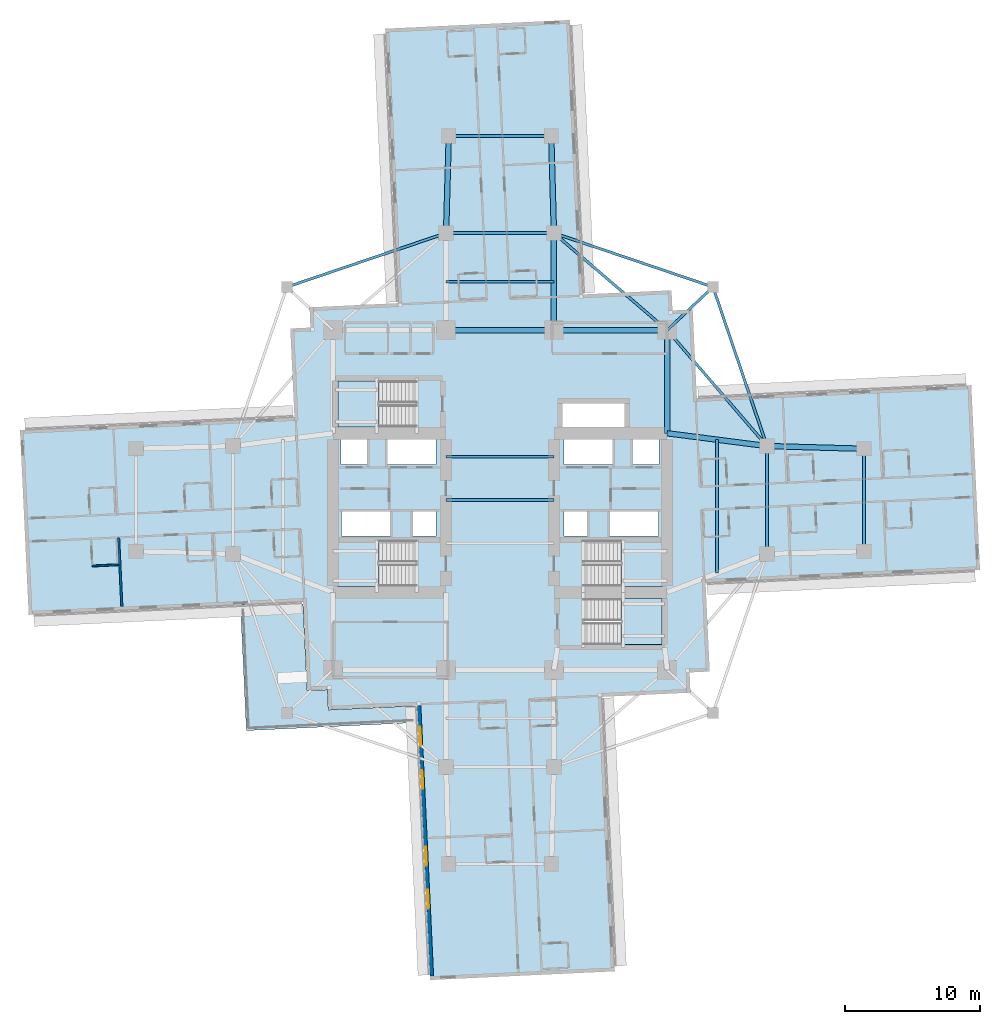
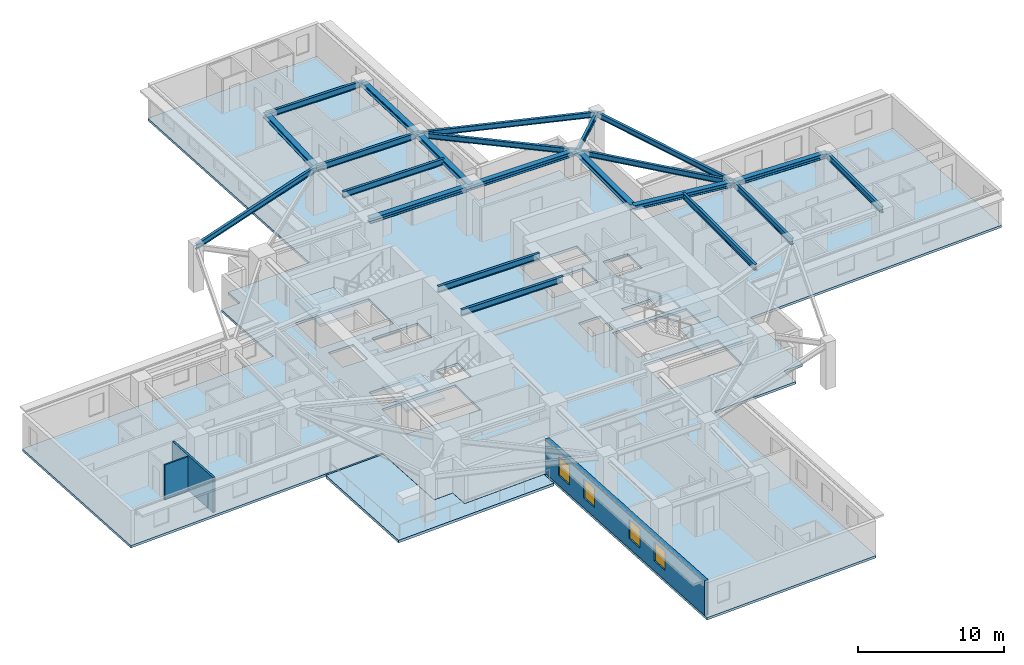
# One storey, part 2 of 14: 22 beams, 6 slabs, 4 windows, 3 walls, 4 openings, 4 elements without a shape of their own.
"""IFC4 building model written with IfcOpenShell, lengths in metres."""

import ifcopenshell
import ifcopenshell.guid

model = None  # the IFC model being written
_history = None  # IfcOwnerHistory: only IFC2X3 demands one
_inside = {}  # id of a spatial element -> (the spatial element, [elements in it])
_under = {}  # id of a project, library or spatial element -> (it, [spatial elements below it])
_declared = {}  # id of a project -> (the project, [libraries it declares])
_typed = {}  # id of a type object -> (the type object, [elements of that type])
_made_of = {}  # id of a material, layer set ... -> (it, [elements and type objects made of it])


def new_model(schema):
    """Start an empty IFC model of exactly this schema.

    Asked for "IFC4X3", IfcOpenShell would pick the latest addendum, in which some entities
    have other attributes; the version numbers below select the first issue.
    IFC2X3 requires an IfcOwnerHistory on every rooted entity: one is made here for all.
    """
    global model, _history
    if schema == "IFC4X3":
        model = ifcopenshell.file(schema_version=(4, 3, 0, 0))
    else:
        model = ifcopenshell.file(schema=schema)
    _inside.clear()
    _under.clear()
    _declared.clear()
    _typed.clear()
    _made_of.clear()
    _history = None
    if model.schema == "IFC2X3":
        org = make("IfcOrganization", Name="unknown")
        user = make(
            "IfcPersonAndOrganization",
            ThePerson=make("IfcPerson", FamilyName="unknown"),
            TheOrganization=org,
        )
        app = make(
            "IfcApplication",
            ApplicationDeveloper=org,
            Version="unknown",
            ApplicationFullName="unknown",
            ApplicationIdentifier="unknown",
        )
        _history = make(
            "IfcOwnerHistory",
            OwningUser=user,
            OwningApplication=app,
            ChangeAction="ADDED",
            CreationDate=0,
        )
    return model


def make(cls, **values):
    """One entity of the class cls with the attributes given. An attribute that is None is left unset."""
    return model.create_entity(
        cls, **{name: value for name, value in values.items() if value is not None}
    )


def rooted(cls, **values):
    """An entity with a GlobalId (a new one), such as an element, a storey or a relation."""
    return make(cls, GlobalId=ifcopenshell.guid.new(), OwnerHistory=_history, **values)


def si_unit(unit_type, name, prefix=None):
    """IfcSIUnit, for example si_unit("LENGTHUNIT", "METRE", prefix="MILLI")."""
    return make("IfcSIUnit", UnitType=unit_type, Prefix=prefix, Name=name)


def assignment(units):
    """IfcUnitAssignment: the units of a project."""
    return None if units is None else make("IfcUnitAssignment", Units=units)


def point(xyz):
    """IfcCartesianPoint."""
    return None if xyz is None else make("IfcCartesianPoint", Coordinates=xyz)


def direction(xyz):
    """IfcDirection."""
    return None if xyz is None else make("IfcDirection", DirectionRatios=xyz)


def frame(location, z_axis=None, x_axis=None):
    """IfcAxis2Placement3D, a coordinate frame: its origin and axes. An axis left out is left unset."""
    return make(
        "IfcAxis2Placement3D",
        Location=point(location),
        Axis=direction(z_axis),
        RefDirection=direction(x_axis),
    )


def frame_2d(location, x_axis=None):
    """IfcAxis2Placement2D, a coordinate frame in the plane: its origin and x axis."""
    return make(
        "IfcAxis2Placement2D", Location=point(location), RefDirection=direction(x_axis)
    )


def origin():
    """The frame at (0, 0, 0) with its axes left unset."""
    return frame((0.0, 0.0, 0.0))


def origin_2d():
    """The frame at (0, 0) in the plane with its x axis left unset."""
    return frame_2d((0.0, 0.0))


def place(relative_to, where):
    """IfcLocalPlacement: puts the frame where relative to a parent placement (None: the world)."""
    return make(
        "IfcLocalPlacement", PlacementRelTo=relative_to, RelativePlacement=where
    )


def context(
    kind, dimensions, precision=None, world=None, true_north=None, identifier=None
):
    """IfcGeometricRepresentationContext, for example the 3D "Model" context."""
    return make(
        "IfcGeometricRepresentationContext",
        ContextIdentifier=identifier,
        ContextType=kind,
        CoordinateSpaceDimension=dimensions,
        Precision=precision,
        WorldCoordinateSystem=world,
        TrueNorth=true_north,
    )


def subcontext(parent, identifier, kind, view, scale=None):
    """IfcGeometricRepresentationSubContext, for example "Body" below "Model"."""
    return make(
        "IfcGeometricRepresentationSubContext",
        ContextIdentifier=identifier,
        ContextType=kind,
        ParentContext=parent,
        TargetScale=scale,
        TargetView=view,
    )


def project(units=None, contexts=None):
    """IfcProject with its units and contexts."""
    return rooted(
        "IfcProject",
        Name="project",
        RepresentationContexts=contexts,
        UnitsInContext=assignment(units),
    )


def spatial(cls, under=None, at=None, **own):
    """A site, building, storey or space (cls), placed at a placement, below another one or the project."""
    s = rooted(cls, ObjectPlacement=at, **own)
    if under is not None:
        _under.setdefault(under.id(), (under, []))[1].append(s)
    return s


def polyline(points):
    """IfcPolyline through the points."""
    return make("IfcPolyline", Points=[point(p) for p in points])


def profile(cls, at=None, kind="AREA", **sizes):
    """A parametric profile (cls). Its sizes go by their IFC names, for example OverallWidth=200.0."""
    return make(cls, ProfileType=kind, Position=at, **sizes)


def rectangle(**sizes):
    """IfcRectangleProfileDef."""
    return profile("IfcRectangleProfileDef", **sizes)


def i_section(**sizes):
    """IfcIShapeProfileDef."""
    return profile("IfcIShapeProfileDef", **sizes)


def outline(outer, holes=None, kind="AREA"):
    """IfcArbitraryClosedProfileDef: a profile drawn as a closed curve; with holes, ...WithVoids."""
    if holes is None:
        return make("IfcArbitraryClosedProfileDef", ProfileType=kind, OuterCurve=outer)
    return make(
        "IfcArbitraryProfileDefWithVoids",
        ProfileType=kind,
        OuterCurve=outer,
        InnerCurves=holes,
    )


def extrude(swept, where, along, depth):
    """IfcExtrudedAreaSolid: the profile swept, set in the frame where, extruded along a direction by depth."""
    return make(
        "IfcExtrudedAreaSolid",
        SweptArea=swept,
        Position=where,
        ExtrudedDirection=direction(along),
        Depth=depth,
    )


def shape(context_of_items, identifier, shape_type, items):
    """IfcShapeRepresentation: the items that make up one representation, for example the "Body"."""
    return make(
        "IfcShapeRepresentation",
        ContextOfItems=context_of_items,
        RepresentationIdentifier=identifier,
        RepresentationType=shape_type,
        Items=items,
    )


def material(Name=None, Category=None):
    """IfcMaterial."""
    return make("IfcMaterial", Name=Name, Category=Category)


def layer(
    of_material, thickness, ventilated=None, Name=None, Category=None, Priority=None
):
    """IfcMaterialLayer: one layer of a wall or slab, of a material (None: an air gap)."""
    return make(
        "IfcMaterialLayer",
        Material=of_material,
        LayerThickness=thickness,
        IsVentilated=ventilated,
        Name=Name,
        Category=Category,
        Priority=Priority,
    )


def layer_set(layers, Name=None):
    """IfcMaterialLayerSet."""
    return make("IfcMaterialLayerSet", MaterialLayers=layers, LayerSetName=Name)


def material_profile(
    of_material, cross_section, Name=None, Category=None, Priority=None
):
    """IfcMaterialProfile: a cross section and its material."""
    return make(
        "IfcMaterialProfile",
        Name=Name,
        Material=of_material,
        Profile=cross_section,
        Priority=Priority,
        Category=Category,
    )


def profile_set(profiles, Name=None, composite=None):
    """IfcMaterialProfileSet."""
    return make(
        "IfcMaterialProfileSet",
        Name=Name,
        MaterialProfiles=profiles,
        CompositeProfile=composite,
    )


def made_of(thing, what):
    """Note that an element or type object is made of a material, layer set ...; save() writes the relation."""
    if what is not None:
        _made_of.setdefault(what.id(), (what, []))[1].append(thing)
    return thing


def type_object(cls, material=None, **own):
    """A type object (cls), such as IfcWallType, which elements share."""
    return made_of(rooted(cls, **own), material)


def element(
    cls,
    number,
    at=None,
    inside=None,
    cuts=None,
    type_object=None,
    material=None,
    context=None,
    identifier="Body",
    shape_type=None,
    held_by="IfcProductDefinitionShape",
    body=None,
    shapes=None,
    **own,
):
    """One element of the class cls, such as IfcWall. Its Tag is "e" and its number.

    at: its placement. inside: the storey or other place that contains it. cuts: it is an
    opening in that element (IfcRelVoidsElement). A single representation is given by context,
    identifier, shape_type and body (its items); several are given by shapes. held_by: the class
    of the entity that holds the representations. save() writes the other relations.
    """
    e = rooted(cls, Tag="e%d" % number, ObjectPlacement=at, **own)
    if body is not None:
        shapes = [shape(context, identifier, shape_type, body)]
    if shapes is not None:
        e.Representation = make(held_by, Representations=shapes)
    if inside is not None:
        _inside.setdefault(inside.id(), (inside, []))[1].append(e)
    if cuts is not None:
        rooted(
            "IfcRelVoidsElement", RelatingBuildingElement=cuts, RelatedOpeningElement=e
        )
    if type_object is not None:
        _typed.setdefault(type_object.id(), (type_object, []))[1].append(e)
    return made_of(e, material)


def fill(opening, filler):
    """IfcRelFillsElement: the door or window that sits in an opening."""
    return rooted(
        "IfcRelFillsElement",
        RelatingOpeningElement=opening,
        RelatedBuildingElement=filler,
    )


def aggregate(whole, parts):
    """IfcRelAggregates: a whole, such as a stair, and the parts it consists of."""
    return rooted("IfcRelAggregates", RelatingObject=whole, RelatedObjects=parts)


def save(model, path):
    """Write the relations noted so far, then the file.

    IfcRelAggregates (storeys below a building ...), IfcRelContainedInSpatialStructure (elements
    in a storey), IfcRelDefinesByType, IfcRelAssociatesMaterial and IfcRelDeclares: one each for
    every whole, place, type object, material and project.
    """
    for whole, parts in _under.values():
        aggregate(whole, parts)
    for where, things in _inside.values():
        rooted(
            "IfcRelContainedInSpatialStructure",
            RelatedElements=things,
            RelatingStructure=where,
        )
    for kind, things in _typed.values():
        rooted("IfcRelDefinesByType", RelatedObjects=things, RelatingType=kind)
    for what, things in _made_of.values():
        rooted("IfcRelAssociatesMaterial", RelatedObjects=things, RelatingMaterial=what)
    for by, libraries in _declared.values():
        rooted("IfcRelDeclares", RelatingContext=by, RelatedDefinitions=libraries)
    model.write(path)


model = new_model("IFC4")

# Units and contexts
model_context = context("Model", 3, precision=1e-05, world=origin(), true_north=direction((0.0, 1.0)))
body_context = subcontext(model_context, "Body", "Model", "MODEL_VIEW")
ifc_project = project(units=[si_unit("LENGTHUNIT", "METRE"), si_unit("AREAUNIT", "SQUARE_METRE"), si_unit("VOLUMEUNIT", "CUBIC_METRE"), si_unit("PLANEANGLEUNIT", "RADIAN"), si_unit("MASSUNIT", "GRAM", prefix="KILO")], contexts=[model_context])

# Site, building, storey
site_placement = place(None, origin())
site = spatial("IfcSite", under=ifc_project, at=site_placement, CompositionType="ELEMENT")
building_placement = place(site_placement, origin())
building = spatial("IfcBuilding", under=site, at=building_placement, Name="Qingluan Cross Belvedere", CompositionType="ELEMENT")
storey_placement = place(building_placement, frame((0.0, 0.0, 52.199951171875)))
storey = spatial("IfcBuildingStorey", under=building, at=storey_placement, Name="L13", CompositionType="ELEMENT", Elevation=52.199951171875)

# Beams
ifc_material_1 = material(Name="Steel Q420GJB", Category="steel")
ifc_material_profile_1 = material_profile(ifc_material_1, i_section(OverallWidth=0.199951171875, OverallDepth=0.449951171875, WebThickness=0.009033203125, FlangeThickness=0.013916015625, FilletRadius=0.01611328125, at=origin_2d()), Name="HN450x200x9x14")
ifc_profile_set_1 = profile_set([ifc_material_profile_1], Name="Steel Q420GJB")
beam_type_1 = type_object("IfcBeamType", Name="Steel_Beam_HN450x200x9x14", PredefinedType="JOIST", material=ifc_profile_set_1)
beam_1_placement = place(storey_placement, frame((12.39990234375, 12.60009765625, 3.47509765625), z_axis=(0.728219948308, 0.685343495546, 0.0), x_axis=(-0.685343495546, 0.728219948308, 0.0)))
element("IfcBeam", 1, at=beam_1_placement, inside=storey, type_object=beam_type_1, Name="Corner beam 1 L13-RNE", PredefinedType="JOIST", context=body_context, shape_type="SweptSolid", body=[
    extrude(i_section(OverallWidth=0.199951171875, OverallDepth=0.449951171875, WebThickness=0.009033203125, FlangeThickness=0.013916015625, FilletRadius=0.01611328125, at=origin_2d()), origin(), (0.0, 0.0, 1.0), 4.669189453125),
])
for number, where, z_axis, x_axis, name in (
    (2, (15.800048828125, 15.800048828125, 3.47509765625), (-0.947066283324, 0.321038089628, 0.0), (-0.321038089628, -0.947066283324, 0.0), "Corner beam 2 L13-RNE"),
    (3, (15.800048828125, 15.800048828125, 3.47509765625), (0.321038089628, -0.947066283324, 0.0), (0.947066283324, 0.321038089628, 0.0), "Corner beam 3 L13-RNE"),
):
    element("IfcBeam", number, at=place(storey_placement, frame(where, z_axis=z_axis, x_axis=x_axis)), inside=storey, type_object=beam_type_1, Name=name, PredefinedType="JOIST", context=body_context, shape_type="SweptSolid", body=[
        extrude(i_section(OverallWidth=0.199951171875, OverallDepth=0.449951171875, WebThickness=0.009033203125, FlangeThickness=0.013916015625, FilletRadius=0.01611328125, at=origin_2d()), origin(), (0.0, 0.0, 1.0), 12.45947265625),
    ])
beam_2_placement = place(storey_placement, frame((12.39990234375, 12.60009765625, 3.47509765625), z_axis=(0.652245077546, -0.75800815221, 0.0), x_axis=(0.75800815221, 0.652245077546, 0.0)))
element("IfcBeam", 4, at=beam_2_placement, inside=storey, type_object=beam_type_1, Name="Corner beam 4 L13-RNE", PredefinedType="JOIST", context=body_context, shape_type="SweptSolid", body=[
    extrude(i_section(OverallWidth=0.199951171875, OverallDepth=0.449951171875, WebThickness=0.009033203125, FlangeThickness=0.013916015625, FilletRadius=0.01611328125, at=origin_2d()), origin(), (0.0, 0.0, 1.0), 11.345703125),
])
beam_3_placement = place(storey_placement, frame((12.39990234375, 12.60009765625, 3.47509765625), z_axis=(-0.759255044656, 0.650793190779, 0.0), x_axis=(-0.650793190779, -0.759255044656, 0.0)))
element("IfcBeam", 5, at=beam_3_placement, inside=storey, type_object=beam_type_1, Name="Corner beam 5 L13-RNE", PredefinedType="JOIST", context=body_context, shape_type="SweptSolid", body=[
    extrude(i_section(OverallWidth=0.199951171875, OverallDepth=0.449951171875, WebThickness=0.009033203125, FlangeThickness=0.013916015625, FilletRadius=0.01611328125, at=origin_2d()), origin(), (0.0, 0.0, 1.0), 11.063232421875),
])
beam_4_placement = place(storey_placement, frame((-15.800048828125, 15.800048828125, 3.47509765625), z_axis=(0.947066283324, 0.321038089628, 0.0), x_axis=(-0.321038089628, 0.947066283324, 0.0)))
element("IfcBeam", 6, at=beam_4_placement, inside=storey, type_object=beam_type_1, Name="Corner beam 2 L13-RNW", PredefinedType="JOIST", context=body_context, shape_type="SweptSolid", body=[
    extrude(i_section(OverallWidth=0.199951171875, OverallDepth=0.449951171875, WebThickness=0.009033203125, FlangeThickness=0.013916015625, FilletRadius=0.01611328125, at=origin_2d()), origin(), (0.0, 0.0, 1.0), 12.45947265625),
])
ifc_material_2 = material(Name="Steel Q420GJB", Category="steel")
ifc_material_profile_2 = material_profile(ifc_material_2, i_section(OverallWidth=0.199951171875, OverallDepth=0.5, WebThickness=0.010009765625, FlangeThickness=0.01611328125, FilletRadius=0.01611328125, at=origin_2d()), Name="HN500x200x10x16")
ifc_profile_set_2 = profile_set([ifc_material_profile_2], Name="Steel Q420GJB")
beam_type_2 = type_object("IfcBeamType", Name="Steel_Beam_HN500x200x10x16", PredefinedType="JOIST", material=ifc_profile_set_2)
for number, where, z_axis, x_axis, name in (
    (7, (-4.0, 0.0, 3.449951171875), (1.0, 0.0, 0.0), (0.0, 1.0, 0.0), "Hall beam L13-CH2"),
    (8, (-4.0, 3.199951171875, 3.449951171875), (1.0, 0.0, 0.0), (0.0, 1.0, 0.0), "Hall beam L13-CH3"),
    (9, (19.800048828125, -4.0, 3.449951171875), (0.0, 1.0, 0.0), (-1.0, 0.0, 0.0), "Arm E tie L13"),
):
    element("IfcBeam", number, at=place(storey_placement, frame(where, z_axis=z_axis, x_axis=x_axis)), inside=storey, type_object=beam_type_2, Name=name, PredefinedType="JOIST", context=body_context, shape_type="SweptSolid", body=[
        extrude(i_section(OverallWidth=0.199951171875, OverallDepth=0.5, WebThickness=0.010009765625, FlangeThickness=0.01611328125, FilletRadius=0.01611328125, at=origin_2d()), origin(), (0.0, 0.0, 1.0), 8.0),
    ])
beam_5_placement = place(storey_placement, frame((16.10009765625, -5.425048828125, 3.449951171875), z_axis=(0.0, 1.0, 0.0), x_axis=(-1.0, 0.0, 0.0)))
element("IfcBeam", 10, at=beam_5_placement, inside=storey, type_object=beam_type_2, Name="Arm E beam L13", PredefinedType="JOIST", context=body_context, shape_type="SweptSolid", body=[
    extrude(i_section(OverallWidth=0.199951171875, OverallDepth=0.5, WebThickness=0.010009765625, FlangeThickness=0.01611328125, FilletRadius=0.01611328125, at=origin_2d()), origin(), (0.0, 0.0, 1.0), 9.900146484375),
])
beam_6_placement = place(storey_placement, frame((27.0, -3.800048828125, 3.449951171875), z_axis=(0.0, 1.0, 0.0), x_axis=(-1.0, 0.0, 0.0)))
element("IfcBeam", 11, at=beam_6_placement, inside=storey, type_object=beam_type_2, Name="Arm E tip transverse beam L13", PredefinedType="JOIST", context=body_context, shape_type="SweptSolid", body=[
    extrude(i_section(OverallWidth=0.199951171875, OverallDepth=0.5, WebThickness=0.010009765625, FlangeThickness=0.01611328125, FilletRadius=0.01611328125, at=origin_2d()), origin(), (0.0, 0.0, 1.0), 7.60009765625),
])
for number, where, z_axis, x_axis, name in (
    (12, (-4.0, 19.800048828125, 3.449951171875), (1.0, 0.0, 0.0), (0.0, 1.0, 0.0), "Arm N tie L13"),
    (13, (-4.0, 16.199951171875, 3.449951171875), (1.0, 0.0, 0.0), (0.0, 1.0, 0.0), "Arm N beam L13"),
):
    element("IfcBeam", number, at=place(storey_placement, frame(where, z_axis=z_axis, x_axis=x_axis)), inside=storey, type_object=beam_type_2, Name=name, PredefinedType="JOIST", context=body_context, shape_type="SweptSolid", body=[
        extrude(i_section(OverallWidth=0.199951171875, OverallDepth=0.5, WebThickness=0.010009765625, FlangeThickness=0.01611328125, FilletRadius=0.01611328125, at=origin_2d()), origin(), (0.0, 0.0, 1.0), 8.0),
    ])
beam_7_placement = place(storey_placement, frame((-3.800048828125, 27.0, 3.449951171875), z_axis=(1.0, 0.0, 0.0), x_axis=(0.0, 1.0, 0.0)))
element("IfcBeam", 14, at=beam_7_placement, inside=storey, type_object=beam_type_2, Name="Arm N tip transverse beam L13", PredefinedType="JOIST", context=body_context, shape_type="SweptSolid", body=[
    extrude(i_section(OverallWidth=0.199951171875, OverallDepth=0.5, WebThickness=0.010009765625, FlangeThickness=0.01611328125, FilletRadius=0.01611328125, at=origin_2d()), origin(), (0.0, 0.0, 1.0), 7.60009765625),
])
ifc_material_3 = material(Name="Steel Q420GJB", Category="steel")
ifc_material_profile_3 = material_profile(ifc_material_3, i_section(OverallWidth=0.39990234375, OverallDepth=0.39990234375, WebThickness=0.012939453125, FlangeThickness=0.02099609375, FilletRadius=0.02197265625, at=origin_2d()), Name="HW400x400x13x21")
ifc_profile_set_3 = profile_set([ifc_material_profile_3], Name="Steel Q420GJB")
beam_type_3 = type_object("IfcBeamType", Name="Steel_Girder_HW400x400x13x21", PredefinedType="USERDEFINED", material=ifc_profile_set_3)
beam_8_placement = place(storey_placement, frame((-4.0, 12.60009765625, 3.5), z_axis=(1.0, 0.0, 0.0), x_axis=(0.0, 1.0, 0.0)))
element("IfcBeam", 15, at=beam_8_placement, inside=storey, type_object=beam_type_3, Name="Hub girder L13-HG-N2", ObjectType="GIRDER", PredefinedType="USERDEFINED", context=body_context, shape_type="SweptSolid", body=[
    extrude(i_section(OverallWidth=0.39990234375, OverallDepth=0.39990234375, WebThickness=0.012939453125, FlangeThickness=0.02099609375, FilletRadius=0.02197265625, at=origin_2d()), origin(), (0.0, 0.0, 1.0), 8.0),
])
beam_9_placement = place(storey_placement, frame((4.0, 12.60009765625, 3.5), z_axis=(1.0, 0.0, 0.0), x_axis=(0.0, 1.0, 0.0)))
element("IfcBeam", 16, at=beam_9_placement, inside=storey, type_object=beam_type_3, Name="Hub girder L13-HG-N3", ObjectType="GIRDER", PredefinedType="USERDEFINED", context=body_context, shape_type="SweptSolid", body=[
    extrude(i_section(OverallWidth=0.39990234375, OverallDepth=0.39990234375, WebThickness=0.012939453125, FlangeThickness=0.02099609375, FilletRadius=0.02197265625, at=origin_2d()), origin(), (0.0, 0.0, 1.0), 8.39990234375),
])
beam_10_placement = place(storey_placement, frame((12.39990234375, 4.949951171875, 3.5), z_axis=(0.0, 1.0, 0.0), x_axis=(-1.0, 0.0, 0.0)))
element("IfcBeam", 17, at=beam_10_placement, inside=storey, type_object=beam_type_3, Name="Hub girder L13-HG-E2", ObjectType="GIRDER", PredefinedType="USERDEFINED", context=body_context, shape_type="SweptSolid", body=[
    extrude(i_section(OverallWidth=0.39990234375, OverallDepth=0.39990234375, WebThickness=0.012939453125, FlangeThickness=0.02099609375, FilletRadius=0.02197265625, at=origin_2d()), origin(), (0.0, 0.0, 1.0), 7.650146484375),
])
beam_11_placement = place(storey_placement, frame((12.39990234375, 4.949951171875, 3.5), z_axis=(0.991861120628, -0.12732445714, 0.0), x_axis=(0.12732445714, 0.991861120628, 0.0)))
element("IfcBeam", 18, at=beam_11_placement, inside=storey, type_object=beam_type_3, Name="Arm E radial girder B L13", ObjectType="GIRDER", PredefinedType="USERDEFINED", context=body_context, shape_type="SweptSolid", body=[
    extrude(i_section(OverallWidth=0.39990234375, OverallDepth=0.39990234375, WebThickness=0.012939453125, FlangeThickness=0.02099609375, FilletRadius=0.02197265625, at=origin_2d()), origin(), (0.0, 0.0, 1.0), 7.4609375),
])
beam_12_placement = place(storey_placement, frame((19.800048828125, 4.0, 3.5), z_axis=(0.999614603568, -0.027760481514, 0.0), x_axis=(0.027760481514, 0.999614603568, 0.0)))
element("IfcBeam", 19, at=beam_12_placement, inside=storey, type_object=beam_type_3, Name="Arm E outer radial girder B L13", ObjectType="GIRDER", PredefinedType="USERDEFINED", context=body_context, shape_type="SweptSolid", body=[
    extrude(i_section(OverallWidth=0.39990234375, OverallDepth=0.39990234375, WebThickness=0.012939453125, FlangeThickness=0.02099609375, FilletRadius=0.02197265625, at=origin_2d()), origin(), (0.0, 0.0, 1.0), 7.20263671875),
])
beam_13_placement = place(storey_placement, frame((4.0, 12.60009765625, 3.5), z_axis=(0.0, 1.0, 0.0), x_axis=(-1.0, 0.0, 0.0)))
element("IfcBeam", 20, at=beam_13_placement, inside=storey, type_object=beam_type_3, Name="Arm N radial girder B L13", ObjectType="GIRDER", PredefinedType="USERDEFINED", context=body_context, shape_type="SweptSolid", body=[
    extrude(i_section(OverallWidth=0.39990234375, OverallDepth=0.39990234375, WebThickness=0.012939453125, FlangeThickness=0.02099609375, FilletRadius=0.02197265625, at=origin_2d()), origin(), (0.0, 0.0, 1.0), 7.199951171875),
])
for number, where, z_axis, x_axis, name in (
    (21, (-4.0, 19.800048828125, 3.5), (0.027760481514, 0.999614603568, 0.0), (-0.999614603568, 0.027760481514, 0.0), "Arm N outer radial girder A L13"),
    (22, (4.0, 19.800048828125, 3.5), (-0.027760481514, 0.999614603568, 0.0), (-0.999614603568, -0.027760481514, 0.0), "Arm N outer radial girder B L13"),
):
    element("IfcBeam", number, at=place(storey_placement, frame(where, z_axis=z_axis, x_axis=x_axis)), inside=storey, type_object=beam_type_3, Name=name, ObjectType="GIRDER", PredefinedType="USERDEFINED", context=body_context, shape_type="SweptSolid", body=[
        extrude(i_section(OverallWidth=0.39990234375, OverallDepth=0.39990234375, WebThickness=0.012939453125, FlangeThickness=0.02099609375, FilletRadius=0.02197265625, at=origin_2d()), origin(), (0.0, 0.0, 1.0), 7.20263671875),
    ])

# Slab
ifc_material_4 = material(Name="Concrete C40", Category="concrete")
ifc_layer_1 = layer(ifc_material_4, 0.199951171875, Name="FloorSlab_200")
ifc_layer_set_1 = layer_set([ifc_layer_1], Name="Concrete C40")
slab_type_1 = type_object("IfcSlabType", Name="FloorSlab_200", PredefinedType="FLOOR", material=ifc_layer_set_1)
slab_1_placement = place(storey_placement, frame((0.0, 0.0, -0.199951171875)))
element("IfcSlab", 23, at=slab_1_placement, inside=storey, type_object=slab_type_1, Name="Structural floor slab L13", PredefinedType="FLOOR", context=body_context, shape_type="SweptSolid", body=[
    extrude(outline(polyline([(8.51611328125, -34.95751953125), (7.55615234375, -14.600341796875), (14.12890625, -14.290283203125), (14.05810546875, -12.7919921875), (15.556396484375, -12.72119140625), (15.24658203125, -6.148681640625), (35.60400390625, -5.188720703125), (34.95751953125, 8.51611328125), (14.600341796875, 7.55615234375), (14.290283203125, 14.12890625), (12.7919921875, 14.05810546875), (12.72119140625, 15.556396484375), (6.148681640625, 15.24658203125), (5.188720703125, 35.60400390625), (-8.51611328125, 34.95751953125), (-7.55615234375, 14.600341796875), (-14.12890625, 14.290283203125), (-14.05810546875, 12.7919921875), (-15.556396484375, 12.72119140625), (-15.24658203125, 6.148681640625), (-35.60400390625, 5.188720703125), (-34.95751953125, -8.51611328125), (-14.600341796875, -7.55615234375), (-14.290283203125, -14.12890625), (-12.7919921875, -14.05810546875), (-12.72119140625, -15.556396484375), (-6.148681640625, -15.24658203125), (-5.188720703125, -35.60400390625), (8.51611328125, -34.95751953125)]), holes=[polyline([(-12.0, -3.0), (-6.179931640625, -3.0), (-6.179931640625, -6.39990234375), (-12.0, -6.39990234375), (-12.0, -3.0)]), polyline([(6.179931640625, -3.0), (12.0, -3.0), (12.0, -6.39990234375), (6.179931640625, -6.39990234375), (6.179931640625, -3.0)]), polyline([(-12.0, 8.820068359375), (-6.179931640625, 8.820068359375), (-6.179931640625, 5.419921875), (-12.0, 5.419921875), (-12.0, 8.820068359375)]), polyline([(6.179931640625, -7.320068359375), (12.0, -7.320068359375), (12.0, -10.719970703125), (6.179931640625, -10.719970703125), (6.179931640625, -7.320068359375)]), polyline([(-11.800048828125, 4.64990234375), (-9.85009765625, 4.64990234375), (-9.85009765625, 2.64990234375), (-11.800048828125, 2.64990234375), (-11.800048828125, 4.64990234375)]), polyline([(-8.35009765625, 4.64990234375), (-4.75, 4.64990234375), (-4.75, 2.64990234375), (-8.35009765625, 2.64990234375), (-8.35009765625, 4.64990234375)]), polyline([(4.75, 4.64990234375), (8.35009765625, 4.64990234375), (8.35009765625, 2.64990234375), (4.75, 2.64990234375), (4.75, 4.64990234375)]), polyline([(9.85009765625, 4.64990234375), (11.800048828125, 4.64990234375), (11.800048828125, 2.64990234375), (9.85009765625, 2.64990234375), (9.85009765625, 4.64990234375)]), polyline([(-11.75, -0.840087890625), (-8.14990234375, -0.840087890625), (-8.14990234375, -2.659912109375), (-11.75, -2.659912109375), (-11.75, -0.840087890625)]), polyline([(-6.449951171875, -0.840087890625), (-4.75, -0.840087890625), (-4.75, -2.659912109375), (-6.449951171875, -2.659912109375), (-6.449951171875, -0.840087890625)]), polyline([(4.75, -0.840087890625), (6.449951171875, -0.840087890625), (6.449951171875, -2.659912109375), (4.75, -2.659912109375), (4.75, -0.840087890625)]), polyline([(8.14990234375, -0.840087890625), (11.75, -0.840087890625), (11.75, -2.659912109375), (8.14990234375, -2.659912109375), (8.14990234375, -0.840087890625)]), polyline([(4.64990234375, 7.14990234375), (9.25, 7.14990234375), (9.25, 5.14990234375), (4.64990234375, 5.14990234375), (4.64990234375, 7.14990234375)])]), origin(), (0.0, 0.0, 1.0), 0.199951171875),
])

# Stair, slab
ifc_material_5 = material(Name="Concrete C40", Category="concrete")
stair_type = type_object("IfcStairType", Name="CoreDoglegStair_1620", PredefinedType="HALF_TURN_STAIR", material=ifc_material_5)
stair_1_placement = place(storey_placement, origin())
stair_1 = element("IfcStair", 24, at=stair_1_placement, inside=storey, type_object=stair_type, Name="L13 ST1", PredefinedType="HALF_TURN_STAIR")
ifc_material_6 = material(Name="Concrete C40", Category="concrete")
ifc_layer_2 = layer(ifc_material_6, 0.179931640625, Name="StairLandingSlab_180")
ifc_layer_set_2 = layer_set([ifc_layer_2], Name="Concrete C40")
slab_type_2 = type_object("IfcSlabType", Name="StairLandingSlab_180", PredefinedType="LANDING", material=ifc_layer_set_2)
slab_2_placement = place(storey_placement, frame((0.0, 0.0, 1.75)))
slab_2 = element("IfcSlab", 25, at=slab_2_placement, type_object=slab_type_2, Name="ST1 landing 1", PredefinedType="LANDING", context=body_context, shape_type="SweptSolid", body=[
    extrude(outline(polyline([(-8.97998046875, -3.0), (-12.0, -3.0), (-12.0, -6.39990234375), (-8.97998046875, -6.39990234375), (-8.97998046875, -3.0)])), origin(), (0.0, 0.0, 1.0), 0.199951171875),
])
aggregate(stair_1, [slab_2])

stair_2_placement = place(storey_placement, origin())
stair_2 = element("IfcStair", 26, at=stair_2_placement, inside=storey, type_object=stair_type, Name="L13 ST2", PredefinedType="HALF_TURN_STAIR")
slab_3_placement = place(storey_placement, frame((0.0, 0.0, 1.75)))
slab_3 = element("IfcSlab", 27, at=slab_3_placement, type_object=slab_type_2, Name="ST2 landing 1", PredefinedType="LANDING", context=body_context, shape_type="SweptSolid", body=[
    extrude(outline(polyline([(8.97998046875, -6.39990234375), (12.0, -6.39990234375), (12.0, -3.0), (8.97998046875, -3.0), (8.97998046875, -6.39990234375)])), origin(), (0.0, 0.0, 1.0), 0.199951171875),
])
aggregate(stair_2, [slab_3])

stair_3_placement = place(storey_placement, origin())
stair_3 = element("IfcStair", 28, at=stair_3_placement, inside=storey, type_object=stair_type, Name="L13 ST3", PredefinedType="HALF_TURN_STAIR")
slab_4_placement = place(storey_placement, frame((0.0, 0.0, 1.75)))
slab_4 = element("IfcSlab", 29, at=slab_4_placement, type_object=slab_type_2, Name="ST3 landing 1", PredefinedType="LANDING", context=body_context, shape_type="SweptSolid", body=[
    extrude(outline(polyline([(-8.97998046875, 8.820068359375), (-12.0, 8.820068359375), (-12.0, 5.419921875), (-8.97998046875, 5.419921875), (-8.97998046875, 8.820068359375)])), origin(), (0.0, 0.0, 1.0), 0.199951171875),
])
aggregate(stair_3, [slab_4])

stair_4_placement = place(storey_placement, origin())
stair_4 = element("IfcStair", 30, at=stair_4_placement, inside=storey, type_object=stair_type, Name="L13 ST4", PredefinedType="HALF_TURN_STAIR")
slab_5_placement = place(storey_placement, frame((0.0, 0.0, 1.75)))
slab_5 = element("IfcSlab", 31, at=slab_5_placement, type_object=slab_type_2, Name="ST4 landing 1", PredefinedType="LANDING", context=body_context, shape_type="SweptSolid", body=[
    extrude(outline(polyline([(8.97998046875, -10.719970703125), (12.0, -10.719970703125), (12.0, -7.320068359375), (8.97998046875, -7.320068359375), (8.97998046875, -10.719970703125)])), origin(), (0.0, 0.0, 1.0), 0.199951171875),
])
aggregate(stair_4, [slab_5])

# Slab
ifc_material_7 = material(Name="Concrete C40", Category="concrete")
ifc_layer_3 = layer(ifc_material_7, 0.219970703125, Name="TerraceSlab_220")
ifc_layer_set_3 = layer_set([ifc_layer_3], Name="Concrete C40")
slab_type_3 = type_object("IfcSlabType", Name="TerraceSlab_220", PredefinedType="FLOOR", material=ifc_layer_set_3)
slab_6_placement = place(storey_placement, frame((0.0, 0.0, -0.219970703125)))
element("IfcSlab", 32, at=slab_6_placement, inside=storey, type_object=slab_type_3, Name="Spiralling winter-garden terrace slab L13", PredefinedType="FLOOR", context=body_context, shape_type="SweptSolid", body=[
    extrude(outline(polyline([(-6.2880859375, -15.26318359375), (-12.7265625, -15.565185546875), (-12.801513671875, -14.068603515625), (-14.289794921875, -14.138916015625), (-14.300048828125, -14.13134765625), (-14.603759765625, -7.696533203125), (-19.24853515625, -7.91552734375), (-18.815185546875, -17.105224609375), (-6.22900390625, -16.51171875), (-6.2880859375, -15.26318359375)])), origin(), (0.0, 0.0, 1.0), 0.219970703125),
])

# Walls
ifc_material_8 = material(Name="Gypsum plasterboard on steel stud acoustic partition", Category="steel")
ifc_layer_4 = layer(ifc_material_8, 0.159912109375, Name="CorridorPartition_160")
ifc_layer_set_4 = layer_set([ifc_layer_4], Name="Gypsum plasterboard on steel stud acoustic partition")
wall_type_1 = type_object("IfcWallType", Name="CorridorPartition_160", PredefinedType="PARTITIONING", material=ifc_layer_set_4)
wall_1_placement = place(storey_placement, frame((-28.290771484375, -2.77587890625, 0.0), z_axis=(0.0, 0.0, 1.0), x_axis=(0.047144738582, -0.998888068616, 0.0)))
element("IfcWall", 33, at=wall_1_placement, inside=storey, type_object=wall_type_1, Name="Partition L13:W:d1_1", PredefinedType="PARTITIONING", context=body_context, shape_type="SweptSolid", body=[
    extrude(rectangle(XDim=5.1318359375, YDim=0.159912109375, at=frame_2d((2.56591796875, 0.0))), origin(), (0.0, 0.0, 1.0), 2.900146484375),
])
ifc_material_9 = material(Name="Moisture-resistant gypsum board lining")
ifc_layer_5 = layer(ifc_material_9, 0.1201171875, Name="EnsuiteWetPartition_120")
ifc_layer_set_5 = layer_set([ifc_layer_5], Name="Moisture-resistant gypsum board lining")
wall_type_2 = type_object("IfcWallType", Name="EnsuiteWetPartition_120", PredefinedType="PARTITIONING", material=ifc_layer_set_5)
wall_2_placement = place(storey_placement, frame((-28.35498046875, -4.805908203125, 0.0), z_axis=(0.0, 0.0, 1.0), x_axis=(-0.998888319371, -0.047139425368, 0.0)))
element("IfcWall", 34, at=wall_2_placement, inside=storey, type_object=wall_type_2, Name="Partition L13:W:bc1_2", PredefinedType="PARTITIONING", context=body_context, shape_type="SweptSolid", body=[
    extrude(rectangle(XDim=1.880126953125, YDim=0.1201171875, at=frame_2d((0.93994140625, 0.0))), origin(), (0.0, 0.0, 1.0), 2.900146484375),
])

# Wall, openings, windows
ifc_material_10 = material(Name="Precast concrete C45", Category="concrete")
ifc_layer_6 = layer(ifc_material_10, 0.280029296875, Name="PrecastFacadeWall_280")
ifc_layer_set_6 = layer_set([ifc_layer_6], Name="Precast concrete C45")
wall_type_3 = type_object("IfcWallType", Name="PrecastFacadeWall_280", PredefinedType="STANDARD", material=ifc_layer_set_6)
wall_3_placement = place(storey_placement, frame((-6.0087890625, -15.239990234375, 0.0), z_axis=(0.0, 0.0, 1.0), x_axis=(0.047103473814, -0.998890015344, 0.0)))
wall_3 = element("IfcWall", 35, at=wall_3_placement, inside=storey, type_object=wall_type_3, Name="Facade wall L13-SA", PredefinedType="STANDARD", context=body_context, shape_type="SweptSolid", body=[
    extrude(rectangle(XDim=20.099853515625, YDim=0.280029296875, at=frame_2d((10.0498046875, 0.0))), origin(), (0.0, 0.0, 1.0), 2.91015625),
])
opening_1_placement = place(wall_3_placement, frame((1.60009765625, 0.0, 0.800048828125)))
opening_1 = element("IfcOpeningElement", 36, at=opening_1_placement, cuts=wall_3, Name="Opening W-01", PredefinedType="OPENING", context=body_context, shape_type="SweptSolid", body=[
    extrude(rectangle(XDim=1.39990234375, YDim=1.60009765625, at=frame_2d((0.699951171875, 0.800048828125))), frame((0.0, 0.14990234375, 0.0), z_axis=(0.0, -1.0, 0.0), x_axis=(1.0, 0.0, 0.0)), (0.0, 0.0, 1.0), 0.300048828125),
])
opening_2_placement = place(wall_3_placement, frame((4.800048828125, 0.0, 0.800048828125)))
opening_2 = element("IfcOpeningElement", 37, at=opening_2_placement, cuts=wall_3, Name="Opening W-01", PredefinedType="OPENING", context=body_context, shape_type="SweptSolid", body=[
    extrude(rectangle(XDim=1.39990234375, YDim=1.60009765625, at=frame_2d((0.699951171875, 0.800048828125))), frame((0.0, 0.14990234375, 0.0), z_axis=(0.0, -1.0, 0.0), x_axis=(1.0, 0.0, 0.0)), (0.0, 0.0, 1.0), 0.300048828125),
])
opening_3_placement = place(wall_3_placement, frame((10.5, 0.0, 0.800048828125)))
opening_3 = element("IfcOpeningElement", 38, at=opening_3_placement, cuts=wall_3, Name="Opening W-01", PredefinedType="OPENING", context=body_context, shape_type="SweptSolid", body=[
    extrude(rectangle(XDim=1.39990234375, YDim=1.60009765625, at=frame_2d((0.699951171875, 0.800048828125))), frame((0.0, 0.14990234375, 0.0), z_axis=(0.0, -1.0, 0.0), x_axis=(1.0, 0.0, 0.0)), (0.0, 0.0, 1.0), 0.300048828125),
])
opening_4_placement = place(wall_3_placement, frame((13.699951171875, 0.0, 0.800048828125)))
opening_4 = element("IfcOpeningElement", 39, at=opening_4_placement, cuts=wall_3, Name="Opening W-01", PredefinedType="OPENING", context=body_context, shape_type="SweptSolid", body=[
    extrude(rectangle(XDim=1.39990234375, YDim=1.60009765625, at=frame_2d((0.699951171875, 0.800048828125))), frame((0.0, 0.14990234375, 0.0), z_axis=(0.0, -1.0, 0.0), x_axis=(1.0, 0.0, 0.0)), (0.0, 0.0, 1.0), 0.300048828125),
])
ifc_material_11 = material(Name="Thermally broken triple Low-E glass in aluminium frame", Category="aluminium")
window_type = type_object("IfcWindowType", Name="TriRibbonWin_1400x1600", PartitioningType="SINGLE_PANEL", PredefinedType="WINDOW", material=ifc_material_11)
window_1_placement = place(opening_1_placement, origin())
window_1 = element("IfcWindow", 40, at=window_1_placement, inside=storey, type_object=window_type, Name="Ribbon window L13-SA-1", OverallHeight=1.60009765625, OverallWidth=1.39990234375, PartitioningType="SINGLE_PANEL", PredefinedType="WINDOW", context=body_context, shape_type="SweptSolid", body=[
    extrude(rectangle(XDim=1.39990234375, YDim=1.60009765625, at=frame_2d((0.699951171875, 0.800048828125))), frame((0.0, 0.030029296875, 0.0), z_axis=(0.0, -1.0, 0.0), x_axis=(1.0, 0.0, 0.0)), (0.0, 0.0, 1.0), 0.06005859375),
])
fill(opening_1, window_1)
window_2_placement = place(opening_2_placement, origin())
window_2 = element("IfcWindow", 41, at=window_2_placement, inside=storey, type_object=window_type, Name="Ribbon window L13-SA-2", OverallHeight=1.60009765625, OverallWidth=1.39990234375, PartitioningType="SINGLE_PANEL", PredefinedType="WINDOW", context=body_context, shape_type="SweptSolid", body=[
    extrude(rectangle(XDim=1.39990234375, YDim=1.60009765625, at=frame_2d((0.699951171875, 0.800048828125))), frame((0.0, 0.030029296875, 0.0), z_axis=(0.0, -1.0, 0.0), x_axis=(1.0, 0.0, 0.0)), (0.0, 0.0, 1.0), 0.06005859375),
])
fill(opening_2, window_2)
window_3_placement = place(opening_3_placement, origin())
window_3 = element("IfcWindow", 42, at=window_3_placement, inside=storey, type_object=window_type, Name="Ribbon window L13-SA-3", OverallHeight=1.60009765625, OverallWidth=1.39990234375, PartitioningType="SINGLE_PANEL", PredefinedType="WINDOW", context=body_context, shape_type="SweptSolid", body=[
    extrude(rectangle(XDim=1.39990234375, YDim=1.60009765625, at=frame_2d((0.699951171875, 0.800048828125))), frame((0.0, 0.030029296875, 0.0), z_axis=(0.0, -1.0, 0.0), x_axis=(1.0, 0.0, 0.0)), (0.0, 0.0, 1.0), 0.06005859375),
])
fill(opening_3, window_3)
window_4_placement = place(opening_4_placement, origin())
window_4 = element("IfcWindow", 43, at=window_4_placement, inside=storey, type_object=window_type, Name="Ribbon window L13-SA-4", OverallHeight=1.60009765625, OverallWidth=1.39990234375, PartitioningType="SINGLE_PANEL", PredefinedType="WINDOW", context=body_context, shape_type="SweptSolid", body=[
    extrude(rectangle(XDim=1.39990234375, YDim=1.60009765625, at=frame_2d((0.699951171875, 0.800048828125))), frame((0.0, 0.030029296875, 0.0), z_axis=(0.0, -1.0, 0.0), x_axis=(1.0, 0.0, 0.0)), (0.0, 0.0, 1.0), 0.06005859375),
])
fill(opening_4, window_4)

save(model, "model.ifc")
